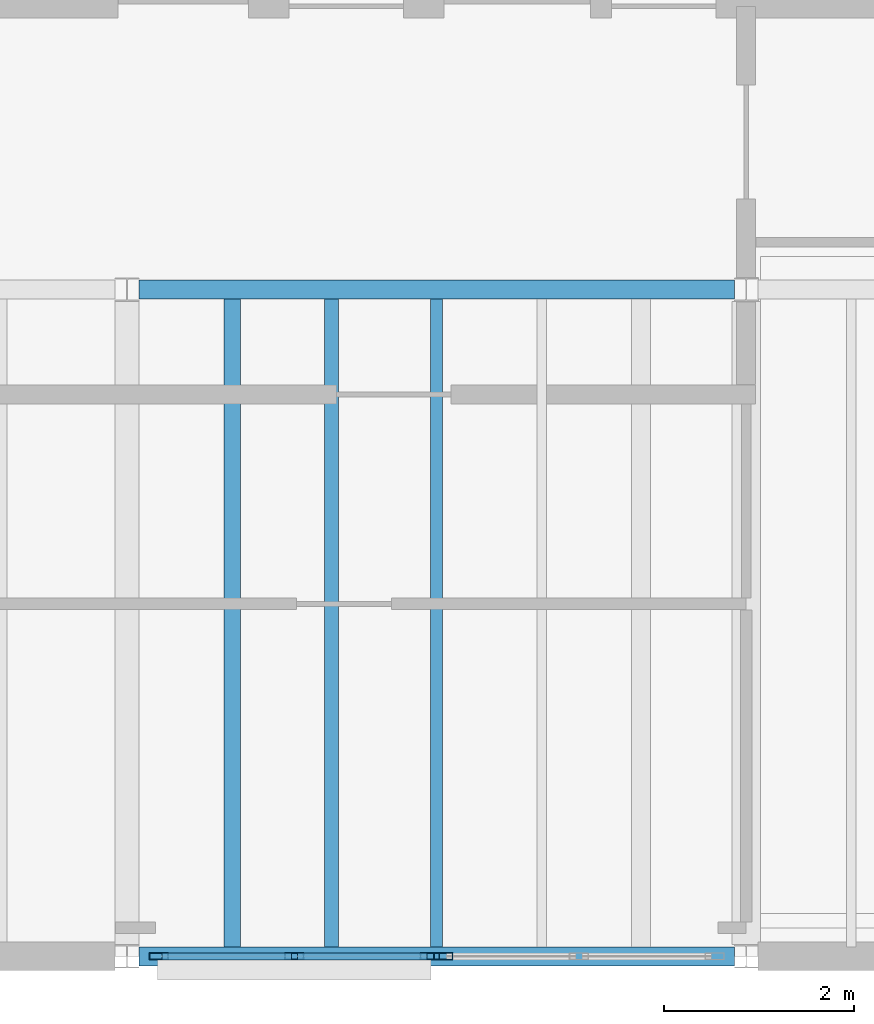
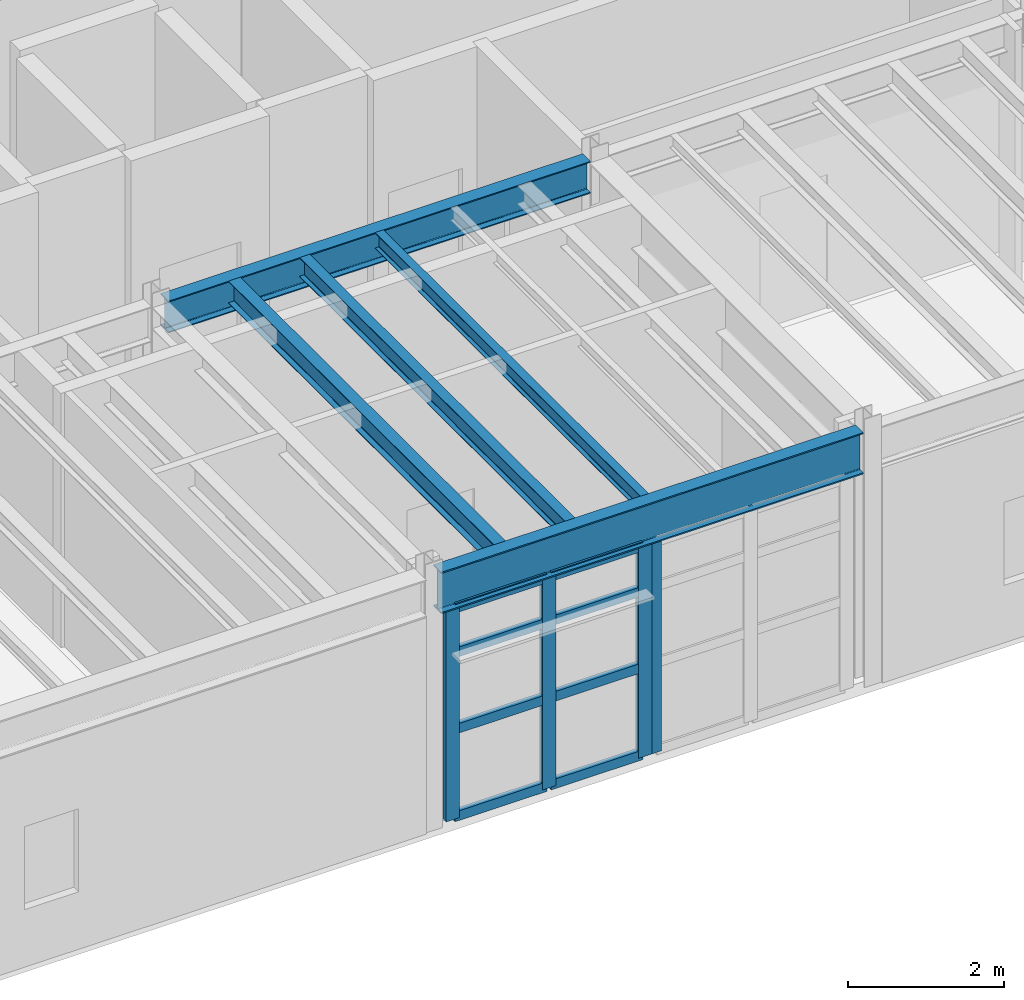
# One storey, part 2 of 8: 12 members, 5 beams, 2 elements without a shape of their own.
"""IFC4 building model written with IfcOpenShell, lengths in metres."""

from ifc_helpers import new_model, si_unit, direction, frame, origin, origin_2d, place, context, subcontext, project, spatial, hollow_rectangle, i_section, extrude, material, material_profile, profile_set, type_object, element, aggregate, save


model = new_model("IFC4")

# Units and contexts
model_context = context("Model", 3, precision=1e-05, world=origin(), true_north=direction((0.0, 1.0)))
body_context = subcontext(model_context, "Body", "Model", "MODEL_VIEW")
ifc_project = project(units=[si_unit("LENGTHUNIT", "METRE"), si_unit("AREAUNIT", "SQUARE_METRE"), si_unit("VOLUMEUNIT", "CUBIC_METRE"), si_unit("PLANEANGLEUNIT", "RADIAN"), si_unit("MASSUNIT", "GRAM", prefix="KILO"), si_unit("THERMODYNAMICTEMPERATUREUNIT", "KELVIN"), si_unit("POWERUNIT", "WATT")], contexts=[model_context])

# Site, building, storey
site_placement = place(None, origin())
site = spatial("IfcSite", under=ifc_project, at=site_placement, CompositionType="ELEMENT")
building_placement = place(site_placement, origin())
building = spatial("IfcBuilding", under=site, at=building_placement, Name="Zhenchuan Central Fire Station", CompositionType="ELEMENT")
storey_placement = place(building_placement, frame((0.0, 0.0, 22.64990234375)))
storey = spatial("IfcBuildingStorey", under=building, at=storey_placement, Name="L06", CompositionType="ELEMENT", Elevation=22.64990234375)

# Beams
ifc_material_1 = material(Name="Steel Q355B", Category="steel")
ifc_material_profile_1 = material_profile(ifc_material_1, i_section(OverallWidth=0.199951171875, OverallDepth=0.5, WebThickness=0.010009765625, FlangeThickness=0.01611328125, FilletRadius=0.02001953125, at=origin_2d()), Name="HN 500x200")
ifc_profile_set_1 = profile_set([ifc_material_profile_1], Name="Steel Q355B")
beam_type_1 = type_object("IfcBeamType", Name="BM-HN500-INT", PredefinedType="BEAM", material=ifc_profile_set_1)
beam_1_placement = place(storey_placement, frame((148.125, 49.5, 3.72998046875), z_axis=(1.0, 0.0, 0.0), x_axis=(0.0, 1.0, 0.0)))
element("IfcBeam", 1, at=beam_1_placement, inside=storey, type_object=beam_type_1, Name="RF Girder EW 0510", PredefinedType="BEAM", context=body_context, shape_type="SweptSolid", body=[
    extrude(i_section(OverallWidth=0.199951171875, OverallDepth=0.5, WebThickness=0.010009765625, FlangeThickness=0.01611328125, FilletRadius=0.02001953125, at=origin_2d()), origin(), (0.0, 0.0, 1.0), 6.25),
])
ifc_material_profile_2 = material_profile(ifc_material_1, i_section(OverallWidth=0.199951171875, OverallDepth=0.64990234375, WebThickness=0.011962890625, FlangeThickness=0.02001953125, FilletRadius=0.02197265625, at=origin_2d()), Name="HN 650x200")
ifc_profile_set_2 = profile_set([ifc_material_profile_2], Name="Steel Q355B")
beam_type_2 = type_object("IfcBeamType", Name="BM-HN650", PredefinedType="BEAM", material=ifc_profile_set_2)
beam_2_placement = place(storey_placement, frame((148.125, 42.5, 3.655029296875), z_axis=(1.0, 0.0, 0.0), x_axis=(0.0, 1.0, 0.0)))
element("IfcBeam", 2, at=beam_2_placement, inside=storey, type_object=beam_type_2, Name="RF Girder EW 0507", PredefinedType="BEAM", context=body_context, shape_type="SweptSolid", body=[
    extrude(i_section(OverallWidth=0.199951171875, OverallDepth=0.64990234375, WebThickness=0.011962890625, FlangeThickness=0.02001953125, FilletRadius=0.02197265625, at=origin_2d()), origin(), (0.0, 0.0, 1.0), 6.25),
])

# Curtain wall, members
ifc_material_2 = material(Name="Anodised aluminium and low-E glazing", Category="aluminium")
curtain_wall_type_1 = type_object("IfcCurtainWallType", Name="CW-MOD-02", PredefinedType="USERDEFINED", material=ifc_material_2)
curtain_wall_1_placement = place(storey_placement, origin())
curtain_wall_1 = element("IfcCurtainWall", 3, at=curtain_wall_1_placement, inside=storey, type_object=curtain_wall_type_1, Name="L06 Unitised Curtain Wall 156", ObjectType="UNITISED GLAZING", PredefinedType="USERDEFINED")
ifc_material_3 = material(Name="Anodised aluminium EN AW-6063", Category="aluminium")
ifc_material_profile_3 = material_profile(ifc_material_3, hollow_rectangle(XDim=0.074951171875, YDim=0.199951171875, WallThickness=0.0048828125, at=origin_2d()), Name="ALU-M 200x75")
ifc_profile_set_3 = profile_set([ifc_material_profile_3], Name="Anodised aluminium EN AW-6063")
member_type_1 = type_object("IfcMemberType", Name="CW-MUL160", PredefinedType="MULLION", material=ifc_profile_set_3)
member_1_placement = place(storey_placement, frame((148.33251953125, 42.5, -0.00390625), z_axis=(0.0, 0.0, 1.0), x_axis=(0.0, 1.0, 0.0)))
member_1 = element("IfcMember", 4, at=member_1_placement, type_object=member_type_1, Name="CW-02 mullion 1", PredefinedType="MULLION", context=body_context, shape_type="SweptSolid", body=[
    extrude(hollow_rectangle(XDim=0.074951171875, YDim=0.199951171875, WallThickness=0.0048828125, at=origin_2d()), origin(), (0.0, 0.0, 1.0), 3.328125),
])
member_2_placement = place(storey_placement, frame((149.756103515625, 42.5, -0.00390625), z_axis=(0.0, 0.0, 1.0), x_axis=(0.0, 1.0, 0.0)))
member_2 = element("IfcMember", 5, at=member_2_placement, type_object=member_type_1, Name="CW-02 mullion 2", PredefinedType="MULLION", context=body_context, shape_type="SweptSolid", body=[
    extrude(hollow_rectangle(XDim=0.074951171875, YDim=0.199951171875, WallThickness=0.0048828125, at=origin_2d()), origin(), (0.0, 0.0, 1.0), 3.328125),
])
member_3_placement = place(storey_placement, frame((151.179443359375, 42.5, -0.00390625), z_axis=(0.0, 0.0, 1.0), x_axis=(0.0, 1.0, 0.0)))
member_3 = element("IfcMember", 6, at=member_3_placement, type_object=member_type_1, Name="CW-02 mullion 3", PredefinedType="MULLION", context=body_context, shape_type="SweptSolid", body=[
    extrude(hollow_rectangle(XDim=0.074951171875, YDim=0.199951171875, WallThickness=0.0048828125, at=origin_2d()), origin(), (0.0, 0.0, 1.0), 3.328125),
])

# Curtain wall, member
curtain_wall_type_2 = type_object("IfcCurtainWallType", Name="CW-MOD-03", PredefinedType="USERDEFINED", material=ifc_material_2)
curtain_wall_2_placement = place(storey_placement, origin())
curtain_wall_2 = element("IfcCurtainWall", 7, at=curtain_wall_2_placement, inside=storey, type_object=curtain_wall_type_2, Name="L06 Unitised Curtain Wall 157", ObjectType="UNITISED GLAZING", PredefinedType="USERDEFINED")
member_4_placement = place(storey_placement, frame((151.320556640625, 42.5, -0.00390625), z_axis=(0.0, 0.0, 1.0), x_axis=(0.0, 1.0, 0.0)))
member_4 = element("IfcMember", 8, at=member_4_placement, type_object=member_type_1, Name="CW-03 mullion 1", PredefinedType="MULLION", context=body_context, shape_type="SweptSolid", body=[
    extrude(hollow_rectangle(XDim=0.074951171875, YDim=0.199951171875, WallThickness=0.0048828125, at=origin_2d()), origin(), (0.0, 0.0, 1.0), 3.328125),
])
aggregate(curtain_wall_2, [member_4])

# Member
ifc_material_profile_4 = material_profile(ifc_material_3, hollow_rectangle(XDim=0.074951171875, YDim=0.14990234375, WallThickness=0.0048828125, at=origin_2d()), Name="ALU-T 150x75")
ifc_profile_set_4 = profile_set([ifc_material_profile_4], Name="Anodised aluminium EN AW-6063")
member_type_2 = type_object("IfcMemberType", Name="CW-TRN130", PredefinedType="NOTDEFINED", material=ifc_profile_set_4)
member_5_placement = place(storey_placement, frame((148.364990234375, 42.5, 0.028564453125), z_axis=(1.0, 0.0, 0.0), x_axis=(0.0, 1.0, 0.0)))
member_5 = element("IfcMember", 9, at=member_5_placement, type_object=member_type_2, Name="CW-02 transom 1.1", ObjectType="TRANSOM", PredefinedType="USERDEFINED", context=body_context, shape_type="SweptSolid", body=[
    extrude(hollow_rectangle(XDim=0.074951171875, YDim=0.14990234375, WallThickness=0.0048828125, at=origin_2d()), origin(), (0.0, 0.0, 1.0), 1.3583984375),
])

member_6_placement = place(storey_placement, frame((148.364990234375, 42.5, 1.396240234375), z_axis=(1.0, 0.0, 0.0), x_axis=(0.0, 1.0, 0.0)))
member_6 = element("IfcMember", 10, at=member_6_placement, type_object=member_type_2, Name="CW-02 transom 1.2", ObjectType="TRANSOM", PredefinedType="USERDEFINED", context=body_context, shape_type="SweptSolid", body=[
    extrude(hollow_rectangle(XDim=0.074951171875, YDim=0.14990234375, WallThickness=0.0048828125, at=origin_2d()), origin(), (0.0, 0.0, 1.0), 1.3583984375),
])

member_7_placement = place(storey_placement, frame((148.364990234375, 42.5, 2.5927734375), z_axis=(1.0, 0.0, 0.0), x_axis=(0.0, 1.0, 0.0)))
member_7 = element("IfcMember", 11, at=member_7_placement, type_object=member_type_2, Name="CW-02 transom 1.3", ObjectType="TRANSOM", PredefinedType="USERDEFINED", context=body_context, shape_type="SweptSolid", body=[
    extrude(hollow_rectangle(XDim=0.074951171875, YDim=0.14990234375, WallThickness=0.0048828125, at=origin_2d()), origin(), (0.0, 0.0, 1.0), 1.3583984375),
])

member_8_placement = place(storey_placement, frame((148.364990234375, 42.5, 3.29150390625), z_axis=(1.0, 0.0, 0.0), x_axis=(0.0, 1.0, 0.0)))
member_8 = element("IfcMember", 12, at=member_8_placement, type_object=member_type_2, Name="CW-02 transom 1.4", ObjectType="TRANSOM", PredefinedType="USERDEFINED", context=body_context, shape_type="SweptSolid", body=[
    extrude(hollow_rectangle(XDim=0.074951171875, YDim=0.14990234375, WallThickness=0.0048828125, at=origin_2d()), origin(), (0.0, 0.0, 1.0), 1.3583984375),
])

member_9_placement = place(storey_placement, frame((149.78857421875, 42.5, 0.028564453125), z_axis=(1.0, 0.0, 0.0), x_axis=(0.0, 1.0, 0.0)))
member_9 = element("IfcMember", 13, at=member_9_placement, type_object=member_type_2, Name="CW-02 transom 2.1", ObjectType="TRANSOM", PredefinedType="USERDEFINED", context=body_context, shape_type="SweptSolid", body=[
    extrude(hollow_rectangle(XDim=0.074951171875, YDim=0.14990234375, WallThickness=0.0048828125, at=origin_2d()), origin(), (0.0, 0.0, 1.0), 1.3583984375),
])

member_10_placement = place(storey_placement, frame((149.78857421875, 42.5, 1.396240234375), z_axis=(1.0, 0.0, 0.0), x_axis=(0.0, 1.0, 0.0)))
member_10 = element("IfcMember", 14, at=member_10_placement, type_object=member_type_2, Name="CW-02 transom 2.2", ObjectType="TRANSOM", PredefinedType="USERDEFINED", context=body_context, shape_type="SweptSolid", body=[
    extrude(hollow_rectangle(XDim=0.074951171875, YDim=0.14990234375, WallThickness=0.0048828125, at=origin_2d()), origin(), (0.0, 0.0, 1.0), 1.3583984375),
])

member_11_placement = place(storey_placement, frame((149.78857421875, 42.5, 2.5927734375), z_axis=(1.0, 0.0, 0.0), x_axis=(0.0, 1.0, 0.0)))
member_11 = element("IfcMember", 15, at=member_11_placement, type_object=member_type_2, Name="CW-02 transom 2.3", ObjectType="TRANSOM", PredefinedType="USERDEFINED", context=body_context, shape_type="SweptSolid", body=[
    extrude(hollow_rectangle(XDim=0.074951171875, YDim=0.14990234375, WallThickness=0.0048828125, at=origin_2d()), origin(), (0.0, 0.0, 1.0), 1.3583984375),
])

member_12_placement = place(storey_placement, frame((149.78857421875, 42.5, 3.29150390625), z_axis=(1.0, 0.0, 0.0), x_axis=(0.0, 1.0, 0.0)))
member_12 = element("IfcMember", 16, at=member_12_placement, type_object=member_type_2, Name="CW-02 transom 2.4", ObjectType="TRANSOM", PredefinedType="USERDEFINED", context=body_context, shape_type="SweptSolid", body=[
    extrude(hollow_rectangle(XDim=0.074951171875, YDim=0.14990234375, WallThickness=0.0048828125, at=origin_2d()), origin(), (0.0, 0.0, 1.0), 1.3583984375),
])

aggregate(curtain_wall_1, [member_1, member_2, member_3, member_5, member_6, member_7, member_8, member_9, member_10, member_11, member_12])

# Beams
ifc_material_profile_5 = material_profile(ifc_material_1, i_section(OverallWidth=0.125, OverallDepth=0.25, WebThickness=0.006103515625, FlangeThickness=0.009033203125, FilletRadius=0.011962890625, at=origin_2d()), Name="HN 250x125")
ifc_profile_set_5 = profile_set([ifc_material_profile_5], Name="Steel Q355B")
beam_type_3 = type_object("IfcBeamType", Name="JS-HN250", PredefinedType="JOIST", material=ifc_profile_set_5)
beam_3_placement = place(storey_placement, frame((151.25, 42.596923828125, 3.85498046875), z_axis=(0.0, 1.0, 0.0), x_axis=(-1.0, 0.0, 0.0)))
element("IfcBeam", 17, at=beam_3_placement, inside=storey, type_object=beam_type_3, Name="RF Secondary Joist 0823", PredefinedType="JOIST", context=body_context, shape_type="SweptSolid", body=[
    extrude(i_section(OverallWidth=0.125, OverallDepth=0.25, WebThickness=0.006103515625, FlangeThickness=0.009033203125, FilletRadius=0.011962890625, at=origin_2d()), origin(), (0.0, 0.0, 1.0), 6.80615234375),
])
ifc_material_profile_6 = material_profile(ifc_material_1, i_section(OverallWidth=0.14990234375, OverallDepth=0.300048828125, WebThickness=0.006591796875, FlangeThickness=0.009033203125, FilletRadius=0.012939453125, at=origin_2d()), Name="HN 300x150")
ifc_profile_set_6 = profile_set([ifc_material_profile_6], Name="Steel Q355B")
beam_type_4 = type_object("IfcBeamType", Name="JS-HN300", PredefinedType="JOIST", material=ifc_profile_set_6)
beam_4_placement = place(storey_placement, frame((150.14501953125, 42.596923828125, 3.830078125), z_axis=(0.0, 1.0, 0.0), x_axis=(-1.0, 0.0, 0.0)))
element("IfcBeam", 18, at=beam_4_placement, inside=storey, type_object=beam_type_4, Name="RF Secondary Joist 0822", PredefinedType="JOIST", context=body_context, shape_type="SweptSolid", body=[
    extrude(i_section(OverallWidth=0.14990234375, OverallDepth=0.300048828125, WebThickness=0.006591796875, FlangeThickness=0.009033203125, FilletRadius=0.012939453125, at=origin_2d()), origin(), (0.0, 0.0, 1.0), 6.80615234375),
])
ifc_material_profile_7 = material_profile(ifc_material_1, i_section(OverallWidth=0.175048828125, OverallDepth=0.35009765625, WebThickness=0.007080078125, FlangeThickness=0.010986328125, FilletRadius=0.013916015625, at=origin_2d()), Name="HN 350x175")
ifc_profile_set_7 = profile_set([ifc_material_profile_7], Name="Steel Q355B")
beam_type_5 = type_object("IfcBeamType", Name="JS-HN350", PredefinedType="JOIST", material=ifc_profile_set_7)
beam_5_placement = place(storey_placement, frame((149.10498046875, 42.596923828125, 3.80517578125), z_axis=(0.0, 1.0, 0.0), x_axis=(-1.0, 0.0, 0.0)))
element("IfcBeam", 19, at=beam_5_placement, inside=storey, type_object=beam_type_5, Name="RF Secondary Joist 0821", PredefinedType="JOIST", context=body_context, shape_type="SweptSolid", body=[
    extrude(i_section(OverallWidth=0.175048828125, OverallDepth=0.35009765625, WebThickness=0.007080078125, FlangeThickness=0.010986328125, FilletRadius=0.013916015625, at=origin_2d()), origin(), (0.0, 0.0, 1.0), 6.80615234375),
])

save(model, "model.ifc")
